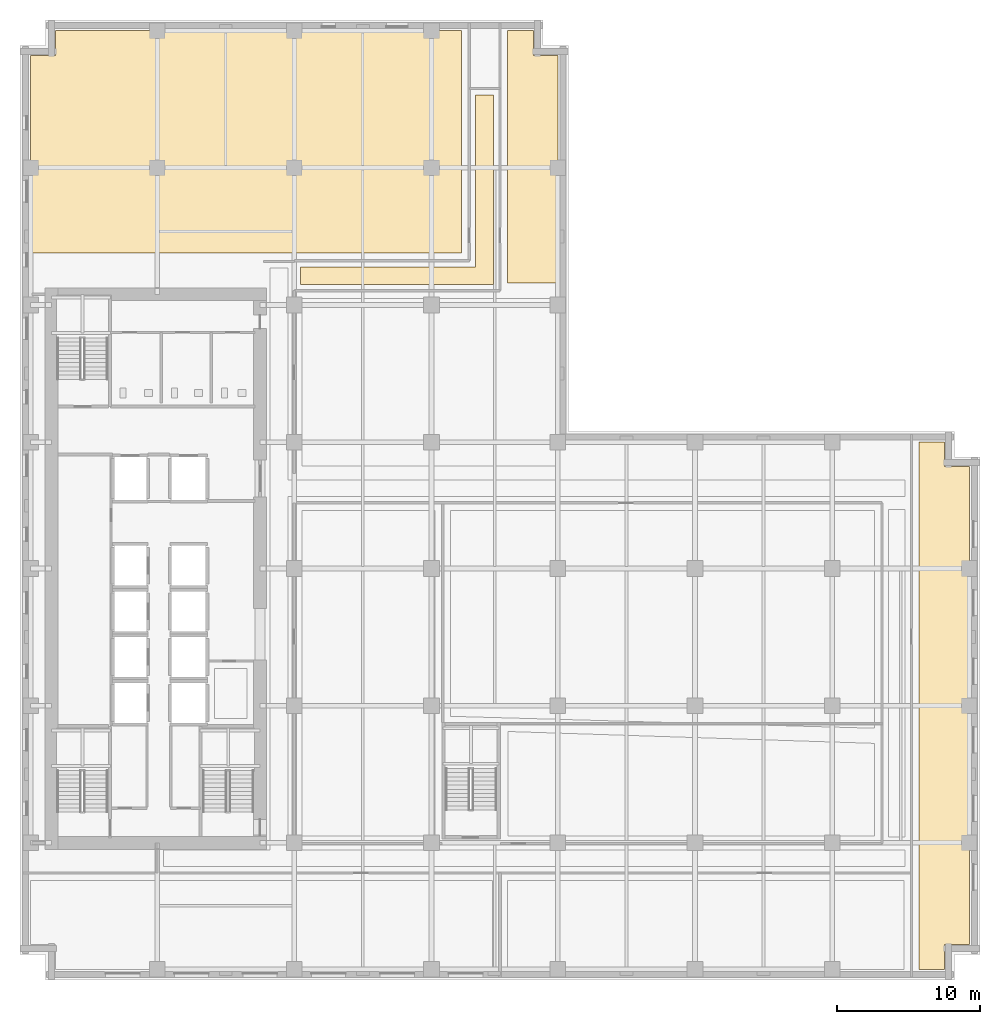
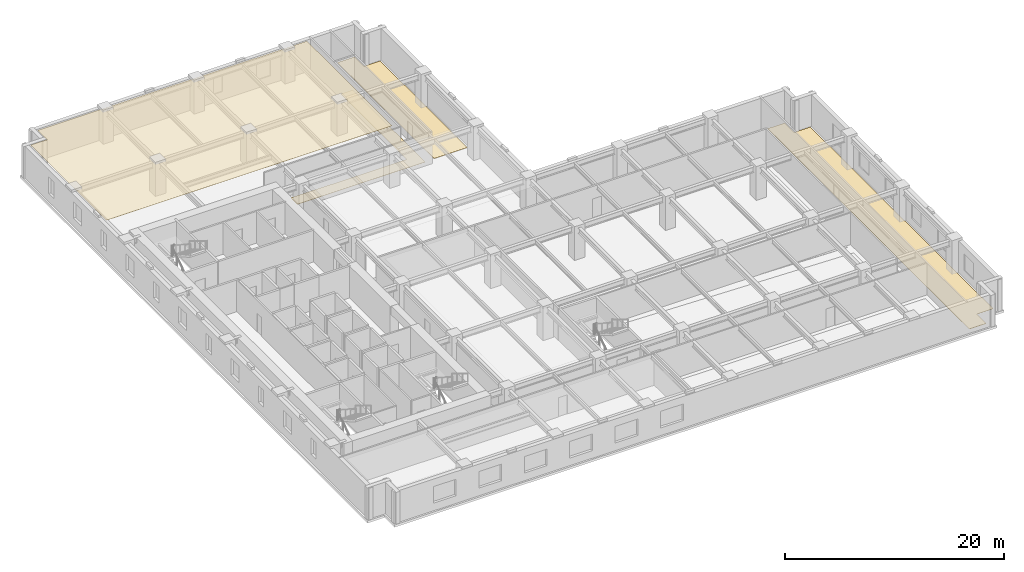
# One storey, part 14 of 15: 4 coverings.
"""IFC4 building model written with IfcOpenShell, lengths in metres."""

from ifc_helpers import new_model, si_unit, direction, frame, origin, place, context, subcontext, project, spatial, polyline, outline, extrude, material, layer, layer_set, type_object, element, save


model = new_model("IFC4")

# Units and contexts
model_context = context("Model", 3, precision=1e-05, world=origin(), true_north=direction((0.0, 1.0)))
body_context = subcontext(model_context, "Body", "Model", "MODEL_VIEW")
ifc_project = project(units=[si_unit("LENGTHUNIT", "METRE"), si_unit("AREAUNIT", "SQUARE_METRE"), si_unit("VOLUMEUNIT", "CUBIC_METRE"), si_unit("PLANEANGLEUNIT", "RADIAN"), si_unit("MASSUNIT", "GRAM", prefix="KILO")], contexts=[model_context])

# Site, building, storey
site_placement = place(None, origin())
site = spatial("IfcSite", under=ifc_project, at=site_placement, CompositionType="ELEMENT")
building_placement = place(site_placement, origin())
building = spatial("IfcBuilding", under=site, at=building_placement, Name="Norrvale University Quadrangle", CompositionType="ELEMENT")
storey_placement = place(building_placement, frame((0.0, 0.0, 88.800048828125)))
storey = spatial("IfcBuildingStorey", under=building, at=storey_placement, Name="L22", CompositionType="ELEMENT", Elevation=88.800048828125)

# Coverings
ifc_material_1 = material(Name="Perforated Acoustic Mineral Ceiling")
ifc_layer_1 = layer(ifc_material_1, 0.02490234375, Name="Perforated Acoustic Mineral Ceiling")
ifc_layer_set_1 = layer_set([ifc_layer_1], Name="Perforated Acoustic Mineral Ceiling")
covering_type_1 = type_object("IfcCoveringType", Name="Covering Acoustic Ceiling 25", PredefinedType="CEILING", material=ifc_layer_set_1)
covering_1_placement = place(storey_placement, frame((0.0, 0.0, 3.514892578125)))
element("IfcCovering", 1, at=covering_1_placement, inside=storey, type_object=covering_type_1, Name="Acoustic Ceiling RM-L22-NW01", PredefinedType="CEILING", context=body_context, shape_type="SweptSolid", body=[
    extrude(outline(polyline([(30.919921875, 66.449951171875), (30.919921875, 50.8798828125), (0.75, 50.8798828125), (0.75, 64.72998046875), (2.469970703125, 64.72998046875), (2.469970703125, 66.449951171875), (30.919921875, 66.449951171875)])), origin(), (0.0, 0.0, 1.0), 0.025146484375),
])
ifc_material_2 = material(Name="Polished Terrazzo Flooring")
ifc_layer_2 = layer(ifc_material_2, 0.02490234375, Name="Polished Terrazzo Flooring")
ifc_layer_set_2 = layer_set([ifc_layer_2], Name="Polished Terrazzo Flooring")
covering_type_2 = type_object("IfcCoveringType", Name="Covering Terrazzo Floor 30", PredefinedType="FLOORING", material=ifc_layer_set_2)
covering_2_placement = place(storey_placement, origin())
element("IfcCovering", 2, at=covering_2_placement, inside=storey, type_object=covering_type_2, Name="Terrazzo Flooring RM-L22-E01", PredefinedType="FLOORING", context=body_context, shape_type="SweptSolid", body=[
    extrude(outline(polyline([(62.929931640625, 0.75), (62.929931640625, 37.64990234375), (64.72998046875, 37.64990234375), (64.72998046875, 35.929931640625), (66.449951171875, 35.929931640625), (66.449951171875, 2.469970703125), (64.72998046875, 2.469970703125), (64.72998046875, 0.75), (62.929931640625, 0.75)])), origin(), (0.0, 0.0, 1.0), 0.02490234375),
])
covering_3_placement = place(storey_placement, origin())
element("IfcCovering", 3, at=covering_3_placement, inside=storey, type_object=covering_type_2, Name="Terrazzo Flooring RM-L22-NCJOG", PredefinedType="FLOORING", context=body_context, shape_type="SweptSolid", body=[
    extrude(outline(polyline([(19.64990234375, 48.699951171875), (19.64990234375, 49.89990234375), (31.89990234375, 49.89990234375), (31.89990234375, 61.949951171875), (33.14990234375, 61.949951171875), (33.14990234375, 48.699951171875), (19.64990234375, 48.699951171875)])), origin(), (0.0, 0.0, 1.0), 0.02490234375),
])
covering_4_placement = place(storey_placement, origin())
element("IfcCovering", 4, at=covering_4_placement, inside=storey, type_object=covering_type_2, Name="Terrazzo Flooring RM-L22-NE01", PredefinedType="FLOORING", context=body_context, shape_type="SweptSolid", body=[
    extrude(outline(polyline([(37.64990234375, 48.780029296875), (34.1298828125, 48.780029296875), (34.1298828125, 66.449951171875), (35.929931640625, 66.449951171875), (35.929931640625, 64.72998046875), (37.64990234375, 64.72998046875), (37.64990234375, 48.780029296875)])), origin(), (0.0, 0.0, 1.0), 0.02490234375),
])

save(model, "model.ifc")
